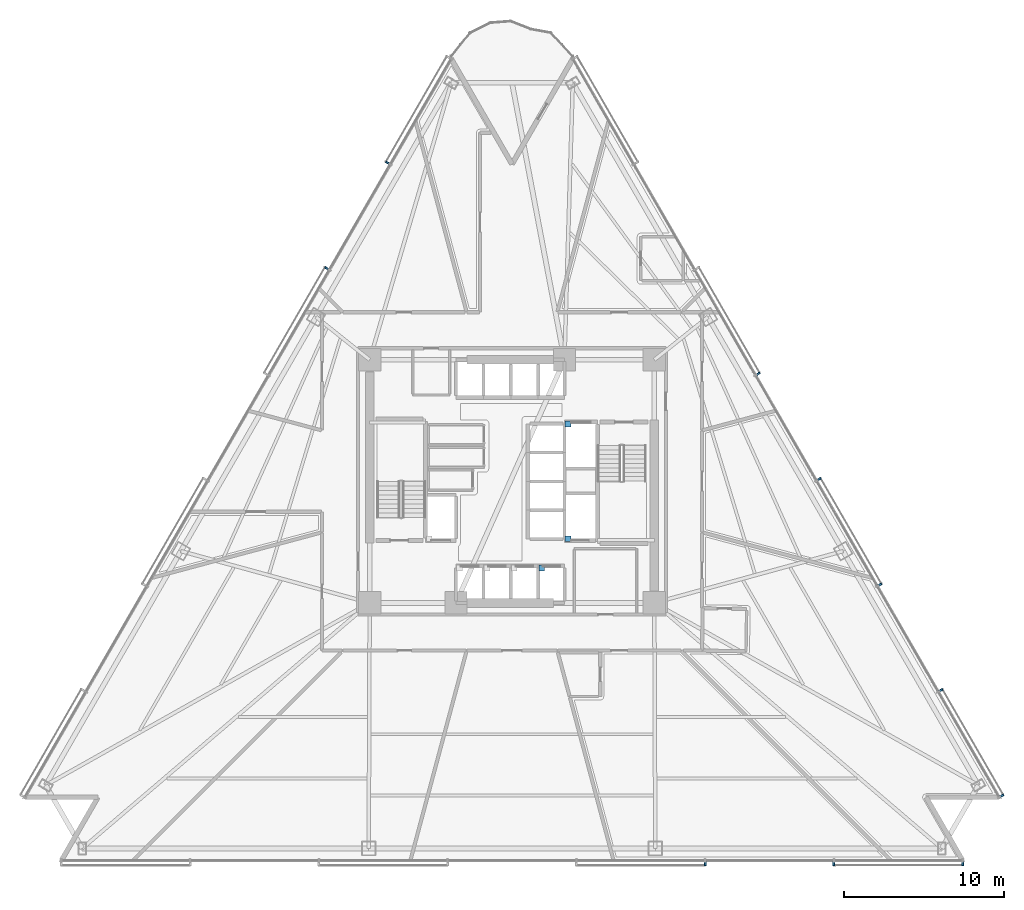
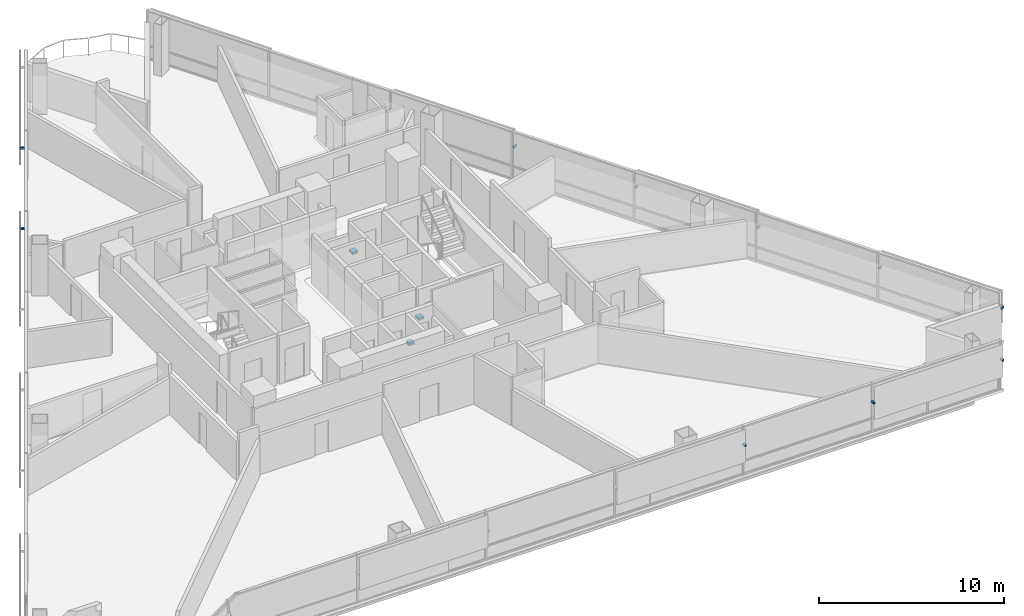
# One storey, part 11 of 16: 13 discrete accessories.
"""IFC4 building model written with IfcOpenShell, lengths in metres."""

from ifc_helpers import new_model, si_unit, direction, frame, origin, origin_2d, place, context, subcontext, project, spatial, rectangle, extrude, material, type_object, element, save


model = new_model("IFC4")

# Units and contexts
model_context = context("Model", 3, precision=1e-05, world=origin(), true_north=direction((0.0, 1.0)))
body_context = subcontext(model_context, "Body", "Model", "MODEL_VIEW")
ifc_project = project(units=[si_unit("LENGTHUNIT", "METRE"), si_unit("AREAUNIT", "SQUARE_METRE"), si_unit("VOLUMEUNIT", "CUBIC_METRE"), si_unit("PLANEANGLEUNIT", "RADIAN"), si_unit("MASSUNIT", "GRAM", prefix="KILO")], contexts=[model_context])

# Site, building, storey
site_placement = place(None, origin())
site = spatial("IfcSite", under=ifc_project, at=site_placement, CompositionType="ELEMENT")
building_placement = place(site_placement, origin())
building = spatial("IfcBuilding", under=site, at=building_placement, Name="Tharavind Bronze Gate", CompositionType="ELEMENT")
storey_placement = place(building_placement, frame((0.0, 0.0, 48.85009765625)))
storey = spatial("IfcBuildingStorey", under=building, at=storey_placement, Name="L11", CompositionType="ELEMENT", Elevation=48.85009765625)

# Discrete accessories
ifc_material_1 = material(Name="Galvanised Steel S355", Category="steel")
discrete_accessory_type_1 = type_object("IfcDiscreteAccessoryType", Name="LIFT GUIDE RAIL BRACKET", PredefinedType="BRACKET", material=ifc_material_1)
for number, where, z_axis, x_axis, name in (
    (1, (1.857421875, -5.419921875, 1.1201171875), (0.0, 0.0, 1.0), (1.0, 0.0, 0.0), "Lift PL4 guide rail bracket at L11"),
    (2, (3.5, 3.580078125, 1.1201171875), (0.0, 0.0, 1.0), (1.0, 0.0, 0.0), "Lift FFL2 guide rail bracket at L11"),
    (3, (3.5, -3.580078125, 1.1201171875), (0.0, 0.0, 1.0), (1.0, 0.0, 0.0), "Lift SVL1 guide rail bracket at L11"),
):
    element("IfcDiscreteAccessory", number, at=place(storey_placement, frame(where, z_axis=z_axis, x_axis=x_axis)), inside=storey, type_object=discrete_accessory_type_1, Name=name, PredefinedType="BRACKET", context=body_context, shape_type="SweptSolid", body=[
        extrude(rectangle(XDim=0.360107421875, YDim=0.360107421875, at=origin_2d()), origin(), (0.0, 0.0, 1.0), 0.159912109375),
    ])
ifc_material_2 = material(Name="Stainless Steel 316", Category="steel")
discrete_accessory_type_2 = type_object("IfcDiscreteAccessoryType", Name="SOLAR SCREEN STANDOFF BRACKET", PredefinedType="BRACKET", material=ifc_material_2)
for number, where, z_axis, x_axis, name in (
    (4, (-7.78125, 19.922607421875, 2.00244140625), (0.0, 0.0, 1.0), (-0.500001511499, -0.866024531118, 0.0), "CW-L11-S1 solar screen bracket 1.2"),
    (5, (-11.589111328125, 13.326904296875, 2.00244140625), (0.0, 0.0, 1.0), (-0.500001511499, -0.866024531118, 0.0), "CW-L11-S1 solar screen bracket 3.1"),
    (6, (12.0751953125, -23.89990234375, 2.00244140625), (0.0, 0.0, 1.0), (1.0, 0.0, 0.0), "CW-L11-S2 solar screen bracket 5.2"),
    (7, (20.12548828125, -23.89990234375, 2.00244140625), (0.0, 0.0, 1.0), (1.0, 0.0, 0.0), "CW-L11-S2 solar screen bracket 7.1"),
    (8, (28.17578125, -23.89990234375, 2.00244140625), (0.0, 0.0, 1.0), (1.0, 0.0, 0.0), "CW-L11-S2 solar screen bracket 7.2"),
    (9, (30.62890625, -19.65087890625, 2.00244140625), (0.0, 0.0, 1.0), (-0.500001511499, 0.866024531118, 0.0), "CW-L11-S3 solar screen bracket 1.1"),
    (10, (26.821044921875, -13.055419921875, 2.00244140625), (0.0, 0.0, 1.0), (-0.500001511499, 0.866024531118, 0.0), "CW-L11-S3 solar screen bracket 1.2"),
    (11, (23.01318359375, -6.459716796875, 2.00244140625), (0.0, 0.0, 1.0), (-0.500001511499, 0.866024531118, 0.0), "CW-L11-S3 solar screen bracket 3.1"),
    (12, (19.205078125, 0.135986328125, 2.00244140625), (0.0, 0.0, 1.0), (-0.500001511499, 0.866024531118, 0.0), "CW-L11-S3 solar screen bracket 3.2"),
    (13, (15.397216796875, 6.7314453125, 2.00244140625), (0.0, 0.0, 1.0), (-0.500001511499, 0.866024531118, 0.0), "CW-L11-S3 solar screen bracket 5.1"),
):
    element("IfcDiscreteAccessory", number, at=place(storey_placement, frame(where, z_axis=z_axis, x_axis=x_axis)), inside=storey, type_object=discrete_accessory_type_2, Name=name, PredefinedType="BRACKET", context=body_context, shape_type="SweptSolid", body=[
        extrude(rectangle(XDim=0.1201171875, YDim=0.239990234375, at=origin_2d()), origin(), (0.0, 0.0, 1.0), 0.1201171875),
    ])

save(model, "model.ifc")
